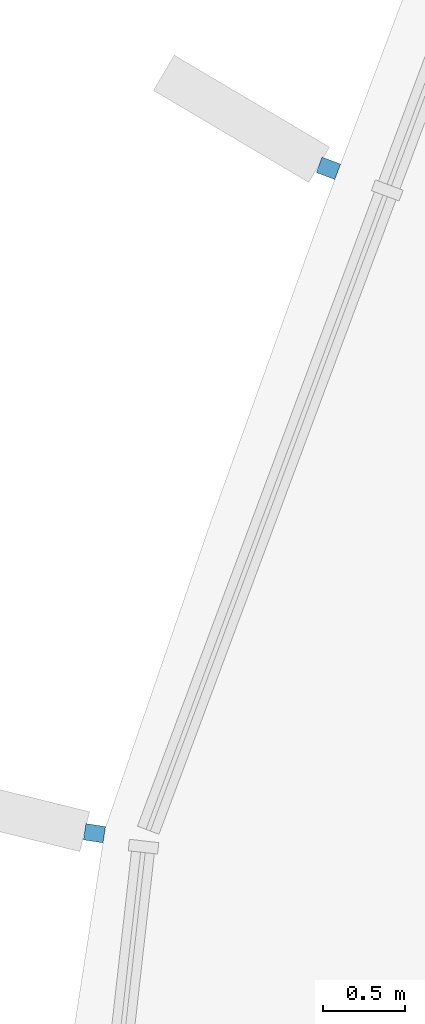
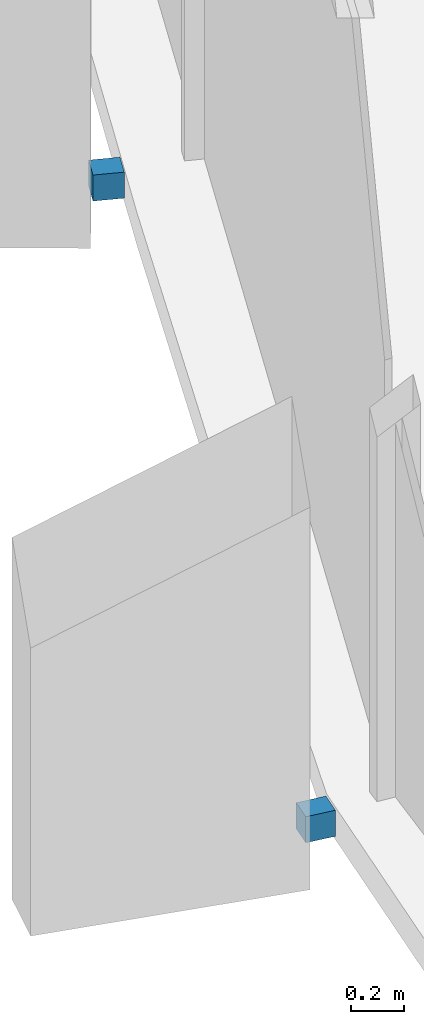
# One storey, part 16 of 25: 2 discrete accessories.
"""IFC4 building model written with IfcOpenShell, lengths in metres."""

import ifcopenshell
import ifcopenshell.guid

model = None  # the IFC model being written
_history = None  # IfcOwnerHistory: only IFC2X3 demands one
_inside = {}  # id of a spatial element -> (the spatial element, [elements in it])
_under = {}  # id of a project, library or spatial element -> (it, [spatial elements below it])
_declared = {}  # id of a project -> (the project, [libraries it declares])
_typed = {}  # id of a type object -> (the type object, [elements of that type])
_made_of = {}  # id of a material, layer set ... -> (it, [elements and type objects made of it])


def new_model(schema):
    """Start an empty IFC model of exactly this schema.

    Asked for "IFC4X3", IfcOpenShell would pick the latest addendum, in which some entities
    have other attributes; the version numbers below select the first issue.
    IFC2X3 requires an IfcOwnerHistory on every rooted entity: one is made here for all.
    """
    global model, _history
    if schema == "IFC4X3":
        model = ifcopenshell.file(schema_version=(4, 3, 0, 0))
    else:
        model = ifcopenshell.file(schema=schema)
    _inside.clear()
    _under.clear()
    _declared.clear()
    _typed.clear()
    _made_of.clear()
    _history = None
    if model.schema == "IFC2X3":
        org = make("IfcOrganization", Name="unknown")
        user = make(
            "IfcPersonAndOrganization",
            ThePerson=make("IfcPerson", FamilyName="unknown"),
            TheOrganization=org,
        )
        app = make(
            "IfcApplication",
            ApplicationDeveloper=org,
            Version="unknown",
            ApplicationFullName="unknown",
            ApplicationIdentifier="unknown",
        )
        _history = make(
            "IfcOwnerHistory",
            OwningUser=user,
            OwningApplication=app,
            ChangeAction="ADDED",
            CreationDate=0,
        )
    return model


def make(cls, **values):
    """One entity of the class cls with the attributes given. An attribute that is None is left unset."""
    return model.create_entity(
        cls, **{name: value for name, value in values.items() if value is not None}
    )


def rooted(cls, **values):
    """An entity with a GlobalId (a new one), such as an element, a storey or a relation."""
    return make(cls, GlobalId=ifcopenshell.guid.new(), OwnerHistory=_history, **values)


def si_unit(unit_type, name, prefix=None):
    """IfcSIUnit, for example si_unit("LENGTHUNIT", "METRE", prefix="MILLI")."""
    return make("IfcSIUnit", UnitType=unit_type, Prefix=prefix, Name=name)


def assignment(units):
    """IfcUnitAssignment: the units of a project."""
    return None if units is None else make("IfcUnitAssignment", Units=units)


def point(xyz):
    """IfcCartesianPoint."""
    return None if xyz is None else make("IfcCartesianPoint", Coordinates=xyz)


def direction(xyz):
    """IfcDirection."""
    return None if xyz is None else make("IfcDirection", DirectionRatios=xyz)


def frame(location, z_axis=None, x_axis=None):
    """IfcAxis2Placement3D, a coordinate frame: its origin and axes. An axis left out is left unset."""
    return make(
        "IfcAxis2Placement3D",
        Location=point(location),
        Axis=direction(z_axis),
        RefDirection=direction(x_axis),
    )


def frame_2d(location, x_axis=None):
    """IfcAxis2Placement2D, a coordinate frame in the plane: its origin and x axis."""
    return make(
        "IfcAxis2Placement2D", Location=point(location), RefDirection=direction(x_axis)
    )


def origin():
    """The frame at (0, 0, 0) with its axes left unset."""
    return frame((0.0, 0.0, 0.0))


def origin_2d():
    """The frame at (0, 0) in the plane with its x axis left unset."""
    return frame_2d((0.0, 0.0))


def place(relative_to, where):
    """IfcLocalPlacement: puts the frame where relative to a parent placement (None: the world)."""
    return make(
        "IfcLocalPlacement", PlacementRelTo=relative_to, RelativePlacement=where
    )


def context(
    kind, dimensions, precision=None, world=None, true_north=None, identifier=None
):
    """IfcGeometricRepresentationContext, for example the 3D "Model" context."""
    return make(
        "IfcGeometricRepresentationContext",
        ContextIdentifier=identifier,
        ContextType=kind,
        CoordinateSpaceDimension=dimensions,
        Precision=precision,
        WorldCoordinateSystem=world,
        TrueNorth=true_north,
    )


def subcontext(parent, identifier, kind, view, scale=None):
    """IfcGeometricRepresentationSubContext, for example "Body" below "Model"."""
    return make(
        "IfcGeometricRepresentationSubContext",
        ContextIdentifier=identifier,
        ContextType=kind,
        ParentContext=parent,
        TargetScale=scale,
        TargetView=view,
    )


def project(units=None, contexts=None):
    """IfcProject with its units and contexts."""
    return rooted(
        "IfcProject",
        Name="project",
        RepresentationContexts=contexts,
        UnitsInContext=assignment(units),
    )


def spatial(cls, under=None, at=None, **own):
    """A site, building, storey or space (cls), placed at a placement, below another one or the project."""
    s = rooted(cls, ObjectPlacement=at, **own)
    if under is not None:
        _under.setdefault(under.id(), (under, []))[1].append(s)
    return s


def profile(cls, at=None, kind="AREA", **sizes):
    """A parametric profile (cls). Its sizes go by their IFC names, for example OverallWidth=200.0."""
    return make(cls, ProfileType=kind, Position=at, **sizes)


def rectangle(**sizes):
    """IfcRectangleProfileDef."""
    return profile("IfcRectangleProfileDef", **sizes)


def extrude(swept, where, along, depth):
    """IfcExtrudedAreaSolid: the profile swept, set in the frame where, extruded along a direction by depth."""
    return make(
        "IfcExtrudedAreaSolid",
        SweptArea=swept,
        Position=where,
        ExtrudedDirection=direction(along),
        Depth=depth,
    )


def shape(context_of_items, identifier, shape_type, items):
    """IfcShapeRepresentation: the items that make up one representation, for example the "Body"."""
    return make(
        "IfcShapeRepresentation",
        ContextOfItems=context_of_items,
        RepresentationIdentifier=identifier,
        RepresentationType=shape_type,
        Items=items,
    )


def material(Name=None, Category=None):
    """IfcMaterial."""
    return make("IfcMaterial", Name=Name, Category=Category)


def made_of(thing, what):
    """Note that an element or type object is made of a material, layer set ...; save() writes the relation."""
    if what is not None:
        _made_of.setdefault(what.id(), (what, []))[1].append(thing)
    return thing


def type_object(cls, material=None, **own):
    """A type object (cls), such as IfcWallType, which elements share."""
    return made_of(rooted(cls, **own), material)


def element(
    cls,
    number,
    at=None,
    inside=None,
    cuts=None,
    type_object=None,
    material=None,
    context=None,
    identifier="Body",
    shape_type=None,
    held_by="IfcProductDefinitionShape",
    body=None,
    shapes=None,
    **own,
):
    """One element of the class cls, such as IfcWall. Its Tag is "e" and its number.

    at: its placement. inside: the storey or other place that contains it. cuts: it is an
    opening in that element (IfcRelVoidsElement). A single representation is given by context,
    identifier, shape_type and body (its items); several are given by shapes. held_by: the class
    of the entity that holds the representations. save() writes the other relations.
    """
    e = rooted(cls, Tag="e%d" % number, ObjectPlacement=at, **own)
    if body is not None:
        shapes = [shape(context, identifier, shape_type, body)]
    if shapes is not None:
        e.Representation = make(held_by, Representations=shapes)
    if inside is not None:
        _inside.setdefault(inside.id(), (inside, []))[1].append(e)
    if cuts is not None:
        rooted(
            "IfcRelVoidsElement", RelatingBuildingElement=cuts, RelatedOpeningElement=e
        )
    if type_object is not None:
        _typed.setdefault(type_object.id(), (type_object, []))[1].append(e)
    return made_of(e, material)


def aggregate(whole, parts):
    """IfcRelAggregates: a whole, such as a stair, and the parts it consists of."""
    return rooted("IfcRelAggregates", RelatingObject=whole, RelatedObjects=parts)


def save(model, path):
    """Write the relations noted so far, then the file.

    IfcRelAggregates (storeys below a building ...), IfcRelContainedInSpatialStructure (elements
    in a storey), IfcRelDefinesByType, IfcRelAssociatesMaterial and IfcRelDeclares: one each for
    every whole, place, type object, material and project.
    """
    for whole, parts in _under.values():
        aggregate(whole, parts)
    for where, things in _inside.values():
        rooted(
            "IfcRelContainedInSpatialStructure",
            RelatedElements=things,
            RelatingStructure=where,
        )
    for kind, things in _typed.values():
        rooted("IfcRelDefinesByType", RelatedObjects=things, RelatingType=kind)
    for what, things in _made_of.values():
        rooted("IfcRelAssociatesMaterial", RelatedObjects=things, RelatingMaterial=what)
    for by, libraries in _declared.values():
        rooted("IfcRelDeclares", RelatingContext=by, RelatedDefinitions=libraries)
    model.write(path)


model = new_model("IFC4")

# Units and contexts
model_context = context("Model", 3, precision=1e-05, world=origin(), true_north=direction((0.0, 1.0)))
body_context = subcontext(model_context, "Body", "Model", "MODEL_VIEW")
ifc_project = project(units=[si_unit("LENGTHUNIT", "METRE"), si_unit("AREAUNIT", "SQUARE_METRE"), si_unit("VOLUMEUNIT", "CUBIC_METRE"), si_unit("PLANEANGLEUNIT", "RADIAN"), si_unit("MASSUNIT", "GRAM", prefix="KILO")], contexts=[model_context])

# Site, building, storey
site_placement = place(None, origin())
site = spatial("IfcSite", under=ifc_project, at=site_placement, CompositionType="ELEMENT")
building_placement = place(site_placement, origin())
building = spatial("IfcBuilding", under=site, at=building_placement, Name="Sierra Prisma Convention Tower", CompositionType="ELEMENT")
storey_placement = place(building_placement, frame((0.0, 0.0, 88.699951171875)))
storey = spatial("IfcBuildingStorey", under=building, at=storey_placement, Name="L18", CompositionType="ELEMENT", Elevation=88.699951171875)

# Discrete accessories
ifc_material = material(Name="Stainless steel 316", Category="steel")
discrete_accessory_type = type_object("IfcDiscreteAccessoryType", Name="Fin bracket", PredefinedType="BRACKET", material=ifc_material)
for number, where, z_axis, x_axis, name in (
    (1, (-29.703125, -9.28955078125, -0.135009765625), (0.0, 0.0, 1.0), (-0.935923920064, 0.352202237147, 0.0), "Fin bracket L18.37 base"),
    (2, (-31.1279296875, -13.339599609375, -0.135009765625), (0.0, 0.0, 1.0), (-0.988049576357, 0.154136415754, 0.0), "Fin bracket L18.38 base"),
):
    element("IfcDiscreteAccessory", number, at=place(storey_placement, frame(where, z_axis=z_axis, x_axis=x_axis)), inside=storey, type_object=discrete_accessory_type, Name=name, PredefinedType="BRACKET", context=body_context, shape_type="SweptSolid", body=[
        extrude(rectangle(XDim=0.1201171875, YDim=0.10009765625, at=origin_2d()), origin(), (0.0, 0.0, 1.0), 0.1201171875),
    ])

save(model, "model.ifc")
